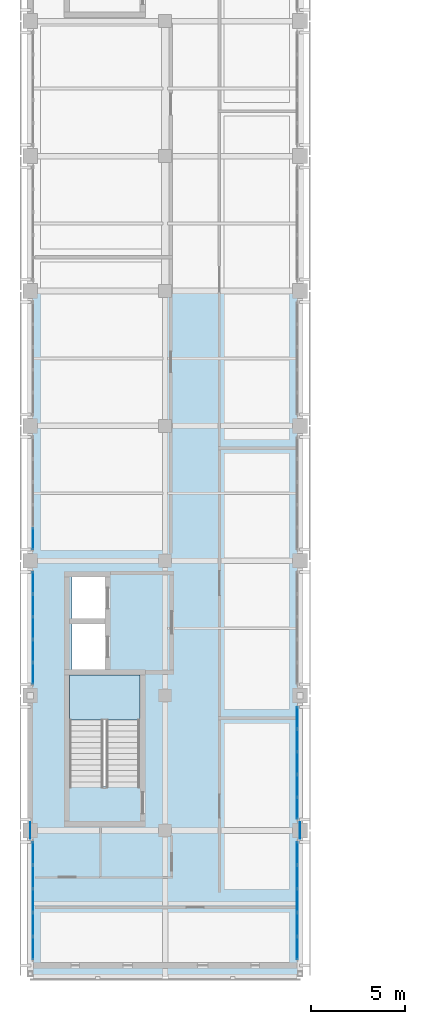
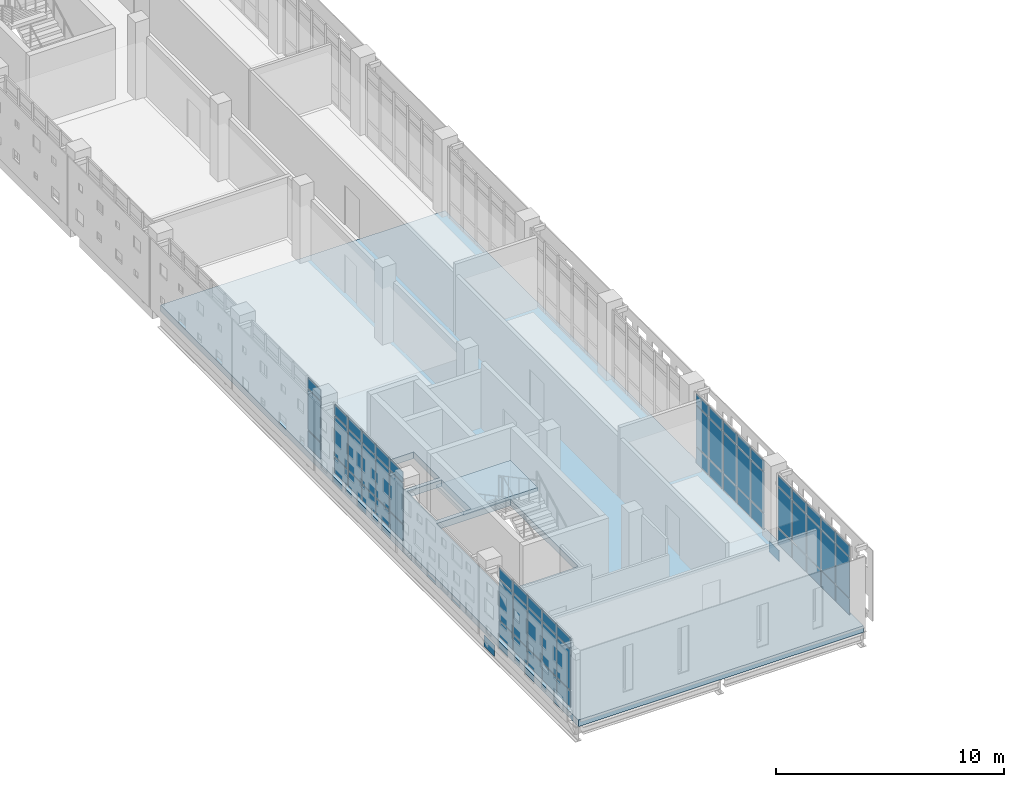
# One storey, part 18 of 33: 65 plates, 2 slabs, 6 elements without a shape of their own.
"""IFC4 building model written with IfcOpenShell, lengths in metres."""

from ifc_helpers import new_model, si_unit, direction, frame, origin, origin_2d, place, context, subcontext, project, spatial, polyline, rectangle, outline, extrude, material, layer, layer_set, type_object, element, aggregate, save


model = new_model("IFC4")

# Units and contexts
model_context = context("Model", 3, precision=1e-05, world=origin(), true_north=direction((0.0, 1.0)))
body_context = subcontext(model_context, "Body", "Model", "MODEL_VIEW")
ifc_project = project(units=[si_unit("LENGTHUNIT", "METRE"), si_unit("AREAUNIT", "SQUARE_METRE"), si_unit("VOLUMEUNIT", "CUBIC_METRE"), si_unit("PLANEANGLEUNIT", "RADIAN"), si_unit("MASSUNIT", "GRAM", prefix="KILO")], contexts=[model_context])

# Site, building, storey
site_placement = place(None, origin())
site = spatial("IfcSite", under=ifc_project, at=site_placement, CompositionType="ELEMENT")
building_placement = place(site_placement, origin())
building = spatial("IfcBuilding", under=site, at=building_placement, Name="Valkovuoma Quantum and Materials Research Institute", CompositionType="ELEMENT")
storey_placement = place(building_placement, frame((0.0, 0.0, 25.60009765625)))
storey = spatial("IfcBuildingStorey", under=building, at=storey_placement, Name="L06", CompositionType="ELEMENT", Elevation=25.60009765625)

# Curtain wall, plates
ifc_material_1 = material(Name="Thermally broken aluminium and triple low-E glazing", Category="aluminium")
ifc_layer_1 = layer(ifc_material_1, 0.219970703125)
ifc_layer_set_1 = layer_set([ifc_layer_1], Name="Thermally broken aluminium and triple low-E glazing")
curtain_wall_type = type_object("IfcCurtainWallType", Name="CW-CW-01", PredefinedType="NOTDEFINED", material=ifc_layer_set_1)
curtain_wall_1_placement = place(storey_placement, origin())
curtain_wall_1 = element("IfcCurtainWall", 1, at=curtain_wall_1_placement, inside=storey, type_object=curtain_wall_type, Name="L06 curtain wall 073", PredefinedType="NOTDEFINED")
ifc_material_2 = material(Name="Triple low-E argon insulating glass", Category="glass")
ifc_layer_2 = layer(ifc_material_2, 0.035888671875)
ifc_layer_set_2 = layer_set([ifc_layer_2], Name="Triple low-E argon insulating glass")
plate_type_1 = type_object("IfcPlateType", Name="CWPanel-CWP-01", PredefinedType="CURTAIN_PANEL", material=ifc_layer_set_2)
plate_1_placement = place(storey_placement, frame((0.14990234375, 22.521728515625, 0.06494140625), z_axis=(0.0, 0.0, 1.0), x_axis=(0.0, 1.0, 0.0)))
plate_1 = element("IfcPlate", 2, at=plate_1_placement, type_object=plate_type_1, Name="CW-01 panel 1.1", PredefinedType="CURTAIN_PANEL", context=body_context, shape_type="SweptSolid", body=[
    extrude(rectangle(XDim=1.177490234375, YDim=0.035888671875, at=origin_2d()), origin(), (0.0, 0.0, 1.0), 0.8525390625),
])
plate_2_placement = place(storey_placement, frame((0.14990234375, 22.521728515625, 0.982421875), z_axis=(0.0, 0.0, 1.0), x_axis=(0.0, 1.0, 0.0)))
plate_2 = element("IfcPlate", 3, at=plate_2_placement, type_object=plate_type_1, Name="CW-01 panel 1.2", PredefinedType="CURTAIN_PANEL", context=body_context, shape_type="SweptSolid", body=[
    extrude(rectangle(XDim=1.177490234375, YDim=0.035888671875, at=origin_2d()), origin(), (0.0, 0.0, 1.0), 2.14501953125),
])
plate_3_placement = place(storey_placement, frame((0.14990234375, 22.521728515625, 3.1923828125), z_axis=(0.0, 0.0, 1.0), x_axis=(0.0, 1.0, 0.0)))
plate_3 = element("IfcPlate", 4, at=plate_3_placement, type_object=plate_type_1, Name="CW-01 panel 1.3", PredefinedType="CURTAIN_PANEL", context=body_context, shape_type="SweptSolid", body=[
    extrude(rectangle(XDim=1.177490234375, YDim=0.035888671875, at=origin_2d()), origin(), (0.0, 0.0, 1.0), 0.552490234375),
])
plate_4_placement = place(storey_placement, frame((0.14990234375, 23.780517578125, 0.06494140625), z_axis=(0.0, 0.0, 1.0), x_axis=(0.0, 1.0, 0.0)))
plate_4 = element("IfcPlate", 5, at=plate_4_placement, type_object=plate_type_1, Name="CW-01 panel 2.1", PredefinedType="CURTAIN_PANEL", context=body_context, shape_type="SweptSolid", body=[
    extrude(rectangle(XDim=1.2099609375, YDim=0.035888671875, at=origin_2d()), origin(), (0.0, 0.0, 1.0), 0.8525390625),
])
plate_5_placement = place(storey_placement, frame((0.14990234375, 23.780517578125, 0.982421875), z_axis=(0.0, 0.0, 1.0), x_axis=(0.0, 1.0, 0.0)))
plate_5 = element("IfcPlate", 6, at=plate_5_placement, type_object=plate_type_1, Name="CW-01 panel 2.2", PredefinedType="CURTAIN_PANEL", context=body_context, shape_type="SweptSolid", body=[
    extrude(rectangle(XDim=1.2099609375, YDim=0.035888671875, at=origin_2d()), origin(), (0.0, 0.0, 1.0), 2.14501953125),
])
plate_6_placement = place(storey_placement, frame((0.14990234375, 23.780517578125, 3.1923828125), z_axis=(0.0, 0.0, 1.0), x_axis=(0.0, 1.0, 0.0)))
plate_6 = element("IfcPlate", 7, at=plate_6_placement, type_object=plate_type_1, Name="CW-01 panel 2.3", PredefinedType="CURTAIN_PANEL", context=body_context, shape_type="SweptSolid", body=[
    extrude(rectangle(XDim=1.2099609375, YDim=0.035888671875, at=origin_2d()), origin(), (0.0, 0.0, 1.0), 0.552490234375),
])
plate_7_placement = place(storey_placement, frame((0.14990234375, 25.055419921875, 0.06494140625), z_axis=(0.0, 0.0, 1.0), x_axis=(0.0, 1.0, 0.0)))
plate_7 = element("IfcPlate", 8, at=plate_7_placement, type_object=plate_type_1, Name="CW-01 panel 3.1", PredefinedType="CURTAIN_PANEL", context=body_context, shape_type="SweptSolid", body=[
    extrude(rectangle(XDim=1.2099609375, YDim=0.035888671875, at=origin_2d()), origin(), (0.0, 0.0, 1.0), 0.8525390625),
])
plate_8_placement = place(storey_placement, frame((0.14990234375, 25.055419921875, 0.982421875), z_axis=(0.0, 0.0, 1.0), x_axis=(0.0, 1.0, 0.0)))
plate_8 = element("IfcPlate", 9, at=plate_8_placement, type_object=plate_type_1, Name="CW-01 panel 3.2", PredefinedType="CURTAIN_PANEL", context=body_context, shape_type="SweptSolid", body=[
    extrude(rectangle(XDim=1.2099609375, YDim=0.035888671875, at=origin_2d()), origin(), (0.0, 0.0, 1.0), 2.14501953125),
])
plate_9_placement = place(storey_placement, frame((0.14990234375, 25.055419921875, 3.1923828125), z_axis=(0.0, 0.0, 1.0), x_axis=(0.0, 1.0, 0.0)))
plate_9 = element("IfcPlate", 10, at=plate_9_placement, type_object=plate_type_1, Name="CW-01 panel 3.3", PredefinedType="CURTAIN_PANEL", context=body_context, shape_type="SweptSolid", body=[
    extrude(rectangle(XDim=1.2099609375, YDim=0.035888671875, at=origin_2d()), origin(), (0.0, 0.0, 1.0), 0.552490234375),
])
plate_10_placement = place(storey_placement, frame((0.14990234375, 26.330322265625, 0.06494140625), z_axis=(0.0, 0.0, 1.0), x_axis=(0.0, 1.0, 0.0)))
plate_10 = element("IfcPlate", 11, at=plate_10_placement, type_object=plate_type_1, Name="CW-01 panel 4.1", PredefinedType="CURTAIN_PANEL", context=body_context, shape_type="SweptSolid", body=[
    extrude(rectangle(XDim=1.2099609375, YDim=0.035888671875, at=origin_2d()), origin(), (0.0, 0.0, 1.0), 0.8525390625),
])
plate_11_placement = place(storey_placement, frame((0.14990234375, 26.330322265625, 0.982421875), z_axis=(0.0, 0.0, 1.0), x_axis=(0.0, 1.0, 0.0)))
plate_11 = element("IfcPlate", 12, at=plate_11_placement, type_object=plate_type_1, Name="CW-01 panel 4.2", PredefinedType="CURTAIN_PANEL", context=body_context, shape_type="SweptSolid", body=[
    extrude(rectangle(XDim=1.2099609375, YDim=0.035888671875, at=origin_2d()), origin(), (0.0, 0.0, 1.0), 2.14501953125),
])
plate_12_placement = place(storey_placement, frame((0.14990234375, 26.330322265625, 3.1923828125), z_axis=(0.0, 0.0, 1.0), x_axis=(0.0, 1.0, 0.0)))
plate_12 = element("IfcPlate", 13, at=plate_12_placement, type_object=plate_type_1, Name="CW-01 panel 4.3", PredefinedType="CURTAIN_PANEL", context=body_context, shape_type="SweptSolid", body=[
    extrude(rectangle(XDim=1.2099609375, YDim=0.035888671875, at=origin_2d()), origin(), (0.0, 0.0, 1.0), 0.552490234375),
])
plate_13_placement = place(storey_placement, frame((0.14990234375, 27.589111328125, 0.06494140625), z_axis=(0.0, 0.0, 1.0), x_axis=(0.0, 1.0, 0.0)))
plate_13 = element("IfcPlate", 14, at=plate_13_placement, type_object=plate_type_1, Name="CW-01 panel 5.1", PredefinedType="CURTAIN_PANEL", context=body_context, shape_type="SweptSolid", body=[
    extrude(rectangle(XDim=1.177490234375, YDim=0.035888671875, at=origin_2d()), origin(), (0.0, 0.0, 1.0), 0.8525390625),
])
plate_14_placement = place(storey_placement, frame((0.14990234375, 27.589111328125, 0.982421875), z_axis=(0.0, 0.0, 1.0), x_axis=(0.0, 1.0, 0.0)))
plate_14 = element("IfcPlate", 15, at=plate_14_placement, type_object=plate_type_1, Name="CW-01 panel 5.2", PredefinedType="CURTAIN_PANEL", context=body_context, shape_type="SweptSolid", body=[
    extrude(rectangle(XDim=1.177490234375, YDim=0.035888671875, at=origin_2d()), origin(), (0.0, 0.0, 1.0), 2.14501953125),
])
plate_15_placement = place(storey_placement, frame((0.14990234375, 27.589111328125, 3.1923828125), z_axis=(0.0, 0.0, 1.0), x_axis=(0.0, 1.0, 0.0)))
plate_15 = element("IfcPlate", 16, at=plate_15_placement, type_object=plate_type_1, Name="CW-01 panel 5.3", PredefinedType="CURTAIN_PANEL", context=body_context, shape_type="SweptSolid", body=[
    extrude(rectangle(XDim=1.177490234375, YDim=0.035888671875, at=origin_2d()), origin(), (0.0, 0.0, 1.0), 0.552490234375),
])
aggregate(curtain_wall_1, [plate_1, plate_2, plate_3, plate_4, plate_5, plate_6, plate_7, plate_8, plate_9, plate_10, plate_11, plate_12, plate_13, plate_14, plate_15])

curtain_wall_2_placement = place(storey_placement, origin())
curtain_wall_2 = element("IfcCurtainWall", 17, at=curtain_wall_2_placement, inside=storey, type_object=curtain_wall_type, Name="L06 curtain wall 076", PredefinedType="NOTDEFINED")
plate_16_placement = place(storey_placement, frame((0.14990234375, 37.181884765625, 0.06494140625), z_axis=(0.0, 0.0, 1.0), x_axis=(0.0, 1.0, 0.0)))
plate_16 = element("IfcPlate", 18, at=plate_16_placement, type_object=plate_type_1, Name="CW-01 panel 1.1", PredefinedType="CURTAIN_PANEL", context=body_context, shape_type="SweptSolid", body=[
    extrude(rectangle(XDim=1.11962890625, YDim=0.035888671875, at=origin_2d()), origin(), (0.0, 0.0, 1.0), 0.8525390625),
])
plate_17_placement = place(storey_placement, frame((0.14990234375, 37.181884765625, 0.982421875), z_axis=(0.0, 0.0, 1.0), x_axis=(0.0, 1.0, 0.0)))
plate_17 = element("IfcPlate", 19, at=plate_17_placement, type_object=plate_type_1, Name="CW-01 panel 1.2", PredefinedType="CURTAIN_PANEL", context=body_context, shape_type="SweptSolid", body=[
    extrude(rectangle(XDim=1.11962890625, YDim=0.035888671875, at=origin_2d()), origin(), (0.0, 0.0, 1.0), 2.14501953125),
])
plate_18_placement = place(storey_placement, frame((0.14990234375, 37.181884765625, 3.1923828125), z_axis=(0.0, 0.0, 1.0), x_axis=(0.0, 1.0, 0.0)))
plate_18 = element("IfcPlate", 20, at=plate_18_placement, type_object=plate_type_1, Name="CW-01 panel 1.3", PredefinedType="CURTAIN_PANEL", context=body_context, shape_type="SweptSolid", body=[
    extrude(rectangle(XDim=1.11962890625, YDim=0.035888671875, at=origin_2d()), origin(), (0.0, 0.0, 1.0), 0.552490234375),
])
plate_19_placement = place(storey_placement, frame((0.14990234375, 38.3828125, 0.06494140625), z_axis=(0.0, 0.0, 1.0), x_axis=(0.0, 1.0, 0.0)))
plate_19 = element("IfcPlate", 21, at=plate_19_placement, type_object=plate_type_1, Name="CW-01 panel 2.1", PredefinedType="CURTAIN_PANEL", context=body_context, shape_type="SweptSolid", body=[
    extrude(rectangle(XDim=1.152099609375, YDim=0.035888671875, at=origin_2d()), origin(), (0.0, 0.0, 1.0), 0.8525390625),
])
plate_20_placement = place(storey_placement, frame((0.14990234375, 38.3828125, 0.982421875), z_axis=(0.0, 0.0, 1.0), x_axis=(0.0, 1.0, 0.0)))
plate_20 = element("IfcPlate", 22, at=plate_20_placement, type_object=plate_type_1, Name="CW-01 panel 2.2", PredefinedType="CURTAIN_PANEL", context=body_context, shape_type="SweptSolid", body=[
    extrude(rectangle(XDim=1.152099609375, YDim=0.035888671875, at=origin_2d()), origin(), (0.0, 0.0, 1.0), 2.14501953125),
])
plate_21_placement = place(storey_placement, frame((0.14990234375, 38.3828125, 3.1923828125), z_axis=(0.0, 0.0, 1.0), x_axis=(0.0, 1.0, 0.0)))
plate_21 = element("IfcPlate", 23, at=plate_21_placement, type_object=plate_type_1, Name="CW-01 panel 2.3", PredefinedType="CURTAIN_PANEL", context=body_context, shape_type="SweptSolid", body=[
    extrude(rectangle(XDim=1.152099609375, YDim=0.035888671875, at=origin_2d()), origin(), (0.0, 0.0, 1.0), 0.552490234375),
])
plate_22_placement = place(storey_placement, frame((0.14990234375, 39.60009765625, 0.06494140625), z_axis=(0.0, 0.0, 1.0), x_axis=(0.0, 1.0, 0.0)))
plate_22 = element("IfcPlate", 24, at=plate_22_placement, type_object=plate_type_1, Name="CW-01 panel 3.1", PredefinedType="CURTAIN_PANEL", context=body_context, shape_type="SweptSolid", body=[
    extrude(rectangle(XDim=1.152099609375, YDim=0.035888671875, at=origin_2d()), origin(), (0.0, 0.0, 1.0), 0.8525390625),
])
plate_23_placement = place(storey_placement, frame((0.14990234375, 39.60009765625, 0.982421875), z_axis=(0.0, 0.0, 1.0), x_axis=(0.0, 1.0, 0.0)))
plate_23 = element("IfcPlate", 25, at=plate_23_placement, type_object=plate_type_1, Name="CW-01 panel 3.2", PredefinedType="CURTAIN_PANEL", context=body_context, shape_type="SweptSolid", body=[
    extrude(rectangle(XDim=1.152099609375, YDim=0.035888671875, at=origin_2d()), origin(), (0.0, 0.0, 1.0), 2.14501953125),
])
plate_24_placement = place(storey_placement, frame((0.14990234375, 39.60009765625, 3.1923828125), z_axis=(0.0, 0.0, 1.0), x_axis=(0.0, 1.0, 0.0)))
plate_24 = element("IfcPlate", 26, at=plate_24_placement, type_object=plate_type_1, Name="CW-01 panel 3.3", PredefinedType="CURTAIN_PANEL", context=body_context, shape_type="SweptSolid", body=[
    extrude(rectangle(XDim=1.152099609375, YDim=0.035888671875, at=origin_2d()), origin(), (0.0, 0.0, 1.0), 0.552490234375),
])
plate_25_placement = place(storey_placement, frame((0.14990234375, 40.817138671875, 0.06494140625), z_axis=(0.0, 0.0, 1.0), x_axis=(0.0, 1.0, 0.0)))
plate_25 = element("IfcPlate", 27, at=plate_25_placement, type_object=plate_type_1, Name="CW-01 panel 4.1", PredefinedType="CURTAIN_PANEL", context=body_context, shape_type="SweptSolid", body=[
    extrude(rectangle(XDim=1.152099609375, YDim=0.035888671875, at=origin_2d()), origin(), (0.0, 0.0, 1.0), 0.8525390625),
])
plate_26_placement = place(storey_placement, frame((0.14990234375, 40.817138671875, 0.982421875), z_axis=(0.0, 0.0, 1.0), x_axis=(0.0, 1.0, 0.0)))
plate_26 = element("IfcPlate", 28, at=plate_26_placement, type_object=plate_type_1, Name="CW-01 panel 4.2", PredefinedType="CURTAIN_PANEL", context=body_context, shape_type="SweptSolid", body=[
    extrude(rectangle(XDim=1.152099609375, YDim=0.035888671875, at=origin_2d()), origin(), (0.0, 0.0, 1.0), 2.14501953125),
])
plate_27_placement = place(storey_placement, frame((0.14990234375, 40.817138671875, 3.1923828125), z_axis=(0.0, 0.0, 1.0), x_axis=(0.0, 1.0, 0.0)))
plate_27 = element("IfcPlate", 29, at=plate_27_placement, type_object=plate_type_1, Name="CW-01 panel 4.3", PredefinedType="CURTAIN_PANEL", context=body_context, shape_type="SweptSolid", body=[
    extrude(rectangle(XDim=1.152099609375, YDim=0.035888671875, at=origin_2d()), origin(), (0.0, 0.0, 1.0), 0.552490234375),
])
plate_28_placement = place(storey_placement, frame((0.14990234375, 42.01806640625, 0.06494140625), z_axis=(0.0, 0.0, 1.0), x_axis=(0.0, 1.0, 0.0)))
plate_28 = element("IfcPlate", 30, at=plate_28_placement, type_object=plate_type_1, Name="CW-01 panel 5.1", PredefinedType="CURTAIN_PANEL", context=body_context, shape_type="SweptSolid", body=[
    extrude(rectangle(XDim=1.11962890625, YDim=0.035888671875, at=origin_2d()), origin(), (0.0, 0.0, 1.0), 0.8525390625),
])
plate_29_placement = place(storey_placement, frame((0.14990234375, 42.01806640625, 0.982421875), z_axis=(0.0, 0.0, 1.0), x_axis=(0.0, 1.0, 0.0)))
plate_29 = element("IfcPlate", 31, at=plate_29_placement, type_object=plate_type_1, Name="CW-01 panel 5.2", PredefinedType="CURTAIN_PANEL", context=body_context, shape_type="SweptSolid", body=[
    extrude(rectangle(XDim=1.11962890625, YDim=0.035888671875, at=origin_2d()), origin(), (0.0, 0.0, 1.0), 2.14501953125),
])
plate_30_placement = place(storey_placement, frame((0.14990234375, 42.01806640625, 3.1923828125), z_axis=(0.0, 0.0, 1.0), x_axis=(0.0, 1.0, 0.0)))
plate_30 = element("IfcPlate", 32, at=plate_30_placement, type_object=plate_type_1, Name="CW-01 panel 5.3", PredefinedType="CURTAIN_PANEL", context=body_context, shape_type="SweptSolid", body=[
    extrude(rectangle(XDim=1.11962890625, YDim=0.035888671875, at=origin_2d()), origin(), (0.0, 0.0, 1.0), 0.552490234375),
])
aggregate(curtain_wall_2, [plate_16, plate_17, plate_18, plate_19, plate_20, plate_21, plate_22, plate_23, plate_24, plate_25, plate_26, plate_27, plate_28, plate_29, plate_30])

curtain_wall_3_placement = place(storey_placement, origin())
curtain_wall_3 = element("IfcCurtainWall", 33, at=curtain_wall_3_placement, inside=storey, type_object=curtain_wall_type, Name="L06 curtain wall 078", PredefinedType="NOTDEFINED")
plate_31_placement = place(storey_placement, frame((0.14990234375, 44.3818359375, 0.06494140625), z_axis=(0.0, 0.0, 1.0), x_axis=(0.0, 1.0, 0.0)))
plate_31 = element("IfcPlate", 34, at=plate_31_placement, type_object=plate_type_1, Name="CW-01 panel 1.1", PredefinedType="CURTAIN_PANEL", context=body_context, shape_type="SweptSolid", body=[
    extrude(rectangle(XDim=1.11962890625, YDim=0.035888671875, at=origin_2d()), origin(), (0.0, 0.0, 1.0), 0.8525390625),
])
plate_32_placement = place(storey_placement, frame((0.14990234375, 44.3818359375, 0.982421875), z_axis=(0.0, 0.0, 1.0), x_axis=(0.0, 1.0, 0.0)))
plate_32 = element("IfcPlate", 35, at=plate_32_placement, type_object=plate_type_1, Name="CW-01 panel 1.2", PredefinedType="CURTAIN_PANEL", context=body_context, shape_type="SweptSolid", body=[
    extrude(rectangle(XDim=1.11962890625, YDim=0.035888671875, at=origin_2d()), origin(), (0.0, 0.0, 1.0), 2.14501953125),
])
plate_33_placement = place(storey_placement, frame((0.14990234375, 44.3818359375, 3.1923828125), z_axis=(0.0, 0.0, 1.0), x_axis=(0.0, 1.0, 0.0)))
plate_33 = element("IfcPlate", 36, at=plate_33_placement, type_object=plate_type_1, Name="CW-01 panel 1.3", PredefinedType="CURTAIN_PANEL", context=body_context, shape_type="SweptSolid", body=[
    extrude(rectangle(XDim=1.11962890625, YDim=0.035888671875, at=origin_2d()), origin(), (0.0, 0.0, 1.0), 0.552490234375),
])
aggregate(curtain_wall_3, [plate_31, plate_32, plate_33])

curtain_wall_4_placement = place(storey_placement, origin())
curtain_wall_4 = element("IfcCurtainWall", 37, at=curtain_wall_4_placement, inside=storey, type_object=curtain_wall_type, Name="L06 curtain wall 074", PredefinedType="NOTDEFINED")
ifc_material_3 = material(Name="Triple low-E argon insulating glass", Category="glass")
ifc_layer_3 = layer(ifc_material_3, 0.0419921875)
ifc_layer_set_3 = layer_set([ifc_layer_3], Name="Triple low-E argon insulating glass")
plate_type_2 = type_object("IfcPlateType", Name="CWPanel-CWP-02", PredefinedType="CURTAIN_PANEL", material=ifc_layer_set_3)
plate_34_placement = place(storey_placement, frame((14.25, 22.521728515625, 0.06494140625), z_axis=(0.0, 0.0, 1.0), x_axis=(0.0, 1.0, 0.0)))
plate_34 = element("IfcPlate", 38, at=plate_34_placement, type_object=plate_type_2, Name="CW-01 panel 1.1", PredefinedType="CURTAIN_PANEL", context=body_context, shape_type="SweptSolid", body=[
    extrude(rectangle(XDim=1.177490234375, YDim=0.0419921875, at=origin_2d()), origin(), (0.0, 0.0, 1.0), 0.8525390625),
])
plate_35_placement = place(storey_placement, frame((14.25, 22.521728515625, 0.982421875), z_axis=(0.0, 0.0, 1.0), x_axis=(0.0, 1.0, 0.0)))
plate_35 = element("IfcPlate", 39, at=plate_35_placement, type_object=plate_type_2, Name="CW-01 panel 1.2", PredefinedType="CURTAIN_PANEL", context=body_context, shape_type="SweptSolid", body=[
    extrude(rectangle(XDim=1.177490234375, YDim=0.0419921875, at=origin_2d()), origin(), (0.0, 0.0, 1.0), 2.14501953125),
])
plate_36_placement = place(storey_placement, frame((14.25, 22.521728515625, 3.1923828125), z_axis=(0.0, 0.0, 1.0), x_axis=(0.0, 1.0, 0.0)))
plate_36 = element("IfcPlate", 40, at=plate_36_placement, type_object=plate_type_2, Name="CW-01 panel 1.3", PredefinedType="CURTAIN_PANEL", context=body_context, shape_type="SweptSolid", body=[
    extrude(rectangle(XDim=1.177490234375, YDim=0.0419921875, at=origin_2d()), origin(), (0.0, 0.0, 1.0), 0.552490234375),
])
plate_37_placement = place(storey_placement, frame((14.25, 23.780517578125, 0.06494140625), z_axis=(0.0, 0.0, 1.0), x_axis=(0.0, 1.0, 0.0)))
plate_37 = element("IfcPlate", 41, at=plate_37_placement, type_object=plate_type_2, Name="CW-01 panel 2.1", PredefinedType="CURTAIN_PANEL", context=body_context, shape_type="SweptSolid", body=[
    extrude(rectangle(XDim=1.2099609375, YDim=0.0419921875, at=origin_2d()), origin(), (0.0, 0.0, 1.0), 0.8525390625),
])
plate_38_placement = place(storey_placement, frame((14.25, 23.780517578125, 0.982421875), z_axis=(0.0, 0.0, 1.0), x_axis=(0.0, 1.0, 0.0)))
plate_38 = element("IfcPlate", 42, at=plate_38_placement, type_object=plate_type_2, Name="CW-01 panel 2.2", PredefinedType="CURTAIN_PANEL", context=body_context, shape_type="SweptSolid", body=[
    extrude(rectangle(XDim=1.2099609375, YDim=0.0419921875, at=origin_2d()), origin(), (0.0, 0.0, 1.0), 2.14501953125),
])
plate_39_placement = place(storey_placement, frame((14.25, 23.780517578125, 3.1923828125), z_axis=(0.0, 0.0, 1.0), x_axis=(0.0, 1.0, 0.0)))
plate_39 = element("IfcPlate", 43, at=plate_39_placement, type_object=plate_type_2, Name="CW-01 panel 2.3", PredefinedType="CURTAIN_PANEL", context=body_context, shape_type="SweptSolid", body=[
    extrude(rectangle(XDim=1.2099609375, YDim=0.0419921875, at=origin_2d()), origin(), (0.0, 0.0, 1.0), 0.552490234375),
])
plate_40_placement = place(storey_placement, frame((14.25, 25.055419921875, 0.06494140625), z_axis=(0.0, 0.0, 1.0), x_axis=(0.0, 1.0, 0.0)))
plate_40 = element("IfcPlate", 44, at=plate_40_placement, type_object=plate_type_2, Name="CW-01 panel 3.1", PredefinedType="CURTAIN_PANEL", context=body_context, shape_type="SweptSolid", body=[
    extrude(rectangle(XDim=1.2099609375, YDim=0.0419921875, at=origin_2d()), origin(), (0.0, 0.0, 1.0), 0.8525390625),
])
plate_41_placement = place(storey_placement, frame((14.25, 25.055419921875, 0.982421875), z_axis=(0.0, 0.0, 1.0), x_axis=(0.0, 1.0, 0.0)))
plate_41 = element("IfcPlate", 45, at=plate_41_placement, type_object=plate_type_2, Name="CW-01 panel 3.2", PredefinedType="CURTAIN_PANEL", context=body_context, shape_type="SweptSolid", body=[
    extrude(rectangle(XDim=1.2099609375, YDim=0.0419921875, at=origin_2d()), origin(), (0.0, 0.0, 1.0), 2.14501953125),
])
plate_42_placement = place(storey_placement, frame((14.25, 25.055419921875, 3.1923828125), z_axis=(0.0, 0.0, 1.0), x_axis=(0.0, 1.0, 0.0)))
plate_42 = element("IfcPlate", 46, at=plate_42_placement, type_object=plate_type_2, Name="CW-01 panel 3.3", PredefinedType="CURTAIN_PANEL", context=body_context, shape_type="SweptSolid", body=[
    extrude(rectangle(XDim=1.2099609375, YDim=0.0419921875, at=origin_2d()), origin(), (0.0, 0.0, 1.0), 0.552490234375),
])
plate_43_placement = place(storey_placement, frame((14.25, 26.330322265625, 0.06494140625), z_axis=(0.0, 0.0, 1.0), x_axis=(0.0, 1.0, 0.0)))
plate_43 = element("IfcPlate", 47, at=plate_43_placement, type_object=plate_type_2, Name="CW-01 panel 4.1", PredefinedType="CURTAIN_PANEL", context=body_context, shape_type="SweptSolid", body=[
    extrude(rectangle(XDim=1.2099609375, YDim=0.0419921875, at=origin_2d()), origin(), (0.0, 0.0, 1.0), 0.8525390625),
])
plate_44_placement = place(storey_placement, frame((14.25, 26.330322265625, 0.982421875), z_axis=(0.0, 0.0, 1.0), x_axis=(0.0, 1.0, 0.0)))
plate_44 = element("IfcPlate", 48, at=plate_44_placement, type_object=plate_type_2, Name="CW-01 panel 4.2", PredefinedType="CURTAIN_PANEL", context=body_context, shape_type="SweptSolid", body=[
    extrude(rectangle(XDim=1.2099609375, YDim=0.0419921875, at=origin_2d()), origin(), (0.0, 0.0, 1.0), 2.14501953125),
])
plate_45_placement = place(storey_placement, frame((14.25, 26.330322265625, 3.1923828125), z_axis=(0.0, 0.0, 1.0), x_axis=(0.0, 1.0, 0.0)))
plate_45 = element("IfcPlate", 49, at=plate_45_placement, type_object=plate_type_2, Name="CW-01 panel 4.3", PredefinedType="CURTAIN_PANEL", context=body_context, shape_type="SweptSolid", body=[
    extrude(rectangle(XDim=1.2099609375, YDim=0.0419921875, at=origin_2d()), origin(), (0.0, 0.0, 1.0), 0.552490234375),
])
plate_46_placement = place(storey_placement, frame((14.25, 27.589111328125, 0.06494140625), z_axis=(0.0, 0.0, 1.0), x_axis=(0.0, 1.0, 0.0)))
plate_46 = element("IfcPlate", 50, at=plate_46_placement, type_object=plate_type_2, Name="CW-01 panel 5.1", PredefinedType="CURTAIN_PANEL", context=body_context, shape_type="SweptSolid", body=[
    extrude(rectangle(XDim=1.177490234375, YDim=0.0419921875, at=origin_2d()), origin(), (0.0, 0.0, 1.0), 0.8525390625),
])
plate_47_placement = place(storey_placement, frame((14.25, 27.589111328125, 0.982421875), z_axis=(0.0, 0.0, 1.0), x_axis=(0.0, 1.0, 0.0)))
plate_47 = element("IfcPlate", 51, at=plate_47_placement, type_object=plate_type_2, Name="CW-01 panel 5.2", PredefinedType="CURTAIN_PANEL", context=body_context, shape_type="SweptSolid", body=[
    extrude(rectangle(XDim=1.177490234375, YDim=0.0419921875, at=origin_2d()), origin(), (0.0, 0.0, 1.0), 2.14501953125),
])
plate_48_placement = place(storey_placement, frame((14.25, 27.589111328125, 3.1923828125), z_axis=(0.0, 0.0, 1.0), x_axis=(0.0, 1.0, 0.0)))
plate_48 = element("IfcPlate", 52, at=plate_48_placement, type_object=plate_type_2, Name="CW-01 panel 5.3", PredefinedType="CURTAIN_PANEL", context=body_context, shape_type="SweptSolid", body=[
    extrude(rectangle(XDim=1.177490234375, YDim=0.0419921875, at=origin_2d()), origin(), (0.0, 0.0, 1.0), 0.552490234375),
])
aggregate(curtain_wall_4, [plate_34, plate_35, plate_36, plate_37, plate_38, plate_39, plate_40, plate_41, plate_42, plate_43, plate_44, plate_45, plate_46, plate_47, plate_48])

curtain_wall_5_placement = place(storey_placement, origin())
curtain_wall_5 = element("IfcCurtainWall", 53, at=curtain_wall_5_placement, inside=storey, type_object=curtain_wall_type, Name="L06 curtain wall 075", PredefinedType="NOTDEFINED")
plate_49_placement = place(storey_placement, frame((14.25, 29.98193359375, 0.06494140625), z_axis=(0.0, 0.0, 1.0), x_axis=(0.0, 1.0, 0.0)))
plate_49 = element("IfcPlate", 54, at=plate_49_placement, type_object=plate_type_2, Name="CW-01 panel 1.1", PredefinedType="CURTAIN_PANEL", context=body_context, shape_type="SweptSolid", body=[
    extrude(rectangle(XDim=1.11962890625, YDim=0.0419921875, at=origin_2d()), origin(), (0.0, 0.0, 1.0), 0.8525390625),
])
plate_50_placement = place(storey_placement, frame((14.25, 29.98193359375, 0.982421875), z_axis=(0.0, 0.0, 1.0), x_axis=(0.0, 1.0, 0.0)))
plate_50 = element("IfcPlate", 55, at=plate_50_placement, type_object=plate_type_2, Name="CW-01 panel 1.2", PredefinedType="CURTAIN_PANEL", context=body_context, shape_type="SweptSolid", body=[
    extrude(rectangle(XDim=1.11962890625, YDim=0.0419921875, at=origin_2d()), origin(), (0.0, 0.0, 1.0), 2.14501953125),
])
plate_51_placement = place(storey_placement, frame((14.25, 29.98193359375, 3.1923828125), z_axis=(0.0, 0.0, 1.0), x_axis=(0.0, 1.0, 0.0)))
plate_51 = element("IfcPlate", 56, at=plate_51_placement, type_object=plate_type_2, Name="CW-01 panel 1.3", PredefinedType="CURTAIN_PANEL", context=body_context, shape_type="SweptSolid", body=[
    extrude(rectangle(XDim=1.11962890625, YDim=0.0419921875, at=origin_2d()), origin(), (0.0, 0.0, 1.0), 0.552490234375),
])
plate_52_placement = place(storey_placement, frame((14.25, 31.182861328125, 0.06494140625), z_axis=(0.0, 0.0, 1.0), x_axis=(0.0, 1.0, 0.0)))
plate_52 = element("IfcPlate", 57, at=plate_52_placement, type_object=plate_type_2, Name="CW-01 panel 2.1", PredefinedType="CURTAIN_PANEL", context=body_context, shape_type="SweptSolid", body=[
    extrude(rectangle(XDim=1.152099609375, YDim=0.0419921875, at=origin_2d()), origin(), (0.0, 0.0, 1.0), 0.8525390625),
])
plate_53_placement = place(storey_placement, frame((14.25, 31.182861328125, 0.982421875), z_axis=(0.0, 0.0, 1.0), x_axis=(0.0, 1.0, 0.0)))
plate_53 = element("IfcPlate", 58, at=plate_53_placement, type_object=plate_type_2, Name="CW-01 panel 2.2", PredefinedType="CURTAIN_PANEL", context=body_context, shape_type="SweptSolid", body=[
    extrude(rectangle(XDim=1.152099609375, YDim=0.0419921875, at=origin_2d()), origin(), (0.0, 0.0, 1.0), 2.14501953125),
])
plate_54_placement = place(storey_placement, frame((14.25, 31.182861328125, 3.1923828125), z_axis=(0.0, 0.0, 1.0), x_axis=(0.0, 1.0, 0.0)))
plate_54 = element("IfcPlate", 59, at=plate_54_placement, type_object=plate_type_2, Name="CW-01 panel 2.3", PredefinedType="CURTAIN_PANEL", context=body_context, shape_type="SweptSolid", body=[
    extrude(rectangle(XDim=1.152099609375, YDim=0.0419921875, at=origin_2d()), origin(), (0.0, 0.0, 1.0), 0.552490234375),
])
plate_55_placement = place(storey_placement, frame((14.25, 32.39990234375, 0.06494140625), z_axis=(0.0, 0.0, 1.0), x_axis=(0.0, 1.0, 0.0)))
plate_55 = element("IfcPlate", 60, at=plate_55_placement, type_object=plate_type_2, Name="CW-01 panel 3.1", PredefinedType="CURTAIN_PANEL", context=body_context, shape_type="SweptSolid", body=[
    extrude(rectangle(XDim=1.152099609375, YDim=0.0419921875, at=origin_2d()), origin(), (0.0, 0.0, 1.0), 0.8525390625),
])
plate_56_placement = place(storey_placement, frame((14.25, 32.39990234375, 0.982421875), z_axis=(0.0, 0.0, 1.0), x_axis=(0.0, 1.0, 0.0)))
plate_56 = element("IfcPlate", 61, at=plate_56_placement, type_object=plate_type_2, Name="CW-01 panel 3.2", PredefinedType="CURTAIN_PANEL", context=body_context, shape_type="SweptSolid", body=[
    extrude(rectangle(XDim=1.152099609375, YDim=0.0419921875, at=origin_2d()), origin(), (0.0, 0.0, 1.0), 2.14501953125),
])
plate_57_placement = place(storey_placement, frame((14.25, 32.39990234375, 3.1923828125), z_axis=(0.0, 0.0, 1.0), x_axis=(0.0, 1.0, 0.0)))
plate_57 = element("IfcPlate", 62, at=plate_57_placement, type_object=plate_type_2, Name="CW-01 panel 3.3", PredefinedType="CURTAIN_PANEL", context=body_context, shape_type="SweptSolid", body=[
    extrude(rectangle(XDim=1.152099609375, YDim=0.0419921875, at=origin_2d()), origin(), (0.0, 0.0, 1.0), 0.552490234375),
])
plate_58_placement = place(storey_placement, frame((14.25, 33.6171875, 0.06494140625), z_axis=(0.0, 0.0, 1.0), x_axis=(0.0, 1.0, 0.0)))
plate_58 = element("IfcPlate", 63, at=plate_58_placement, type_object=plate_type_2, Name="CW-01 panel 4.1", PredefinedType="CURTAIN_PANEL", context=body_context, shape_type="SweptSolid", body=[
    extrude(rectangle(XDim=1.152099609375, YDim=0.0419921875, at=origin_2d()), origin(), (0.0, 0.0, 1.0), 0.8525390625),
])
plate_59_placement = place(storey_placement, frame((14.25, 33.6171875, 0.982421875), z_axis=(0.0, 0.0, 1.0), x_axis=(0.0, 1.0, 0.0)))
plate_59 = element("IfcPlate", 64, at=plate_59_placement, type_object=plate_type_2, Name="CW-01 panel 4.2", PredefinedType="CURTAIN_PANEL", context=body_context, shape_type="SweptSolid", body=[
    extrude(rectangle(XDim=1.152099609375, YDim=0.0419921875, at=origin_2d()), origin(), (0.0, 0.0, 1.0), 2.14501953125),
])
plate_60_placement = place(storey_placement, frame((14.25, 33.6171875, 3.1923828125), z_axis=(0.0, 0.0, 1.0), x_axis=(0.0, 1.0, 0.0)))
plate_60 = element("IfcPlate", 65, at=plate_60_placement, type_object=plate_type_2, Name="CW-01 panel 4.3", PredefinedType="CURTAIN_PANEL", context=body_context, shape_type="SweptSolid", body=[
    extrude(rectangle(XDim=1.152099609375, YDim=0.0419921875, at=origin_2d()), origin(), (0.0, 0.0, 1.0), 0.552490234375),
])
plate_61_placement = place(storey_placement, frame((14.25, 34.818115234375, 0.06494140625), z_axis=(0.0, 0.0, 1.0), x_axis=(0.0, 1.0, 0.0)))
plate_61 = element("IfcPlate", 66, at=plate_61_placement, type_object=plate_type_2, Name="CW-01 panel 5.1", PredefinedType="CURTAIN_PANEL", context=body_context, shape_type="SweptSolid", body=[
    extrude(rectangle(XDim=1.11962890625, YDim=0.0419921875, at=origin_2d()), origin(), (0.0, 0.0, 1.0), 0.8525390625),
])
plate_62_placement = place(storey_placement, frame((14.25, 34.818115234375, 0.982421875), z_axis=(0.0, 0.0, 1.0), x_axis=(0.0, 1.0, 0.0)))
plate_62 = element("IfcPlate", 67, at=plate_62_placement, type_object=plate_type_2, Name="CW-01 panel 5.2", PredefinedType="CURTAIN_PANEL", context=body_context, shape_type="SweptSolid", body=[
    extrude(rectangle(XDim=1.11962890625, YDim=0.0419921875, at=origin_2d()), origin(), (0.0, 0.0, 1.0), 2.14501953125),
])
plate_63_placement = place(storey_placement, frame((14.25, 34.818115234375, 3.1923828125), z_axis=(0.0, 0.0, 1.0), x_axis=(0.0, 1.0, 0.0)))
plate_63 = element("IfcPlate", 68, at=plate_63_placement, type_object=plate_type_2, Name="CW-01 panel 5.3", PredefinedType="CURTAIN_PANEL", context=body_context, shape_type="SweptSolid", body=[
    extrude(rectangle(XDim=1.11962890625, YDim=0.0419921875, at=origin_2d()), origin(), (0.0, 0.0, 1.0), 0.552490234375),
])
aggregate(curtain_wall_5, [plate_49, plate_50, plate_51, plate_52, plate_53, plate_54, plate_55, plate_56, plate_57, plate_58, plate_59, plate_60, plate_61, plate_62, plate_63])

# Plates
ifc_material_4 = material(Name="Steel S355J2", Category="steel")
plate_type_3 = type_object("IfcPlateType", Name="Plate-PL-GUS3", PredefinedType="USERDEFINED", material=ifc_material_4)
for number, where, z_axis, x_axis, name in (
    (69, (0.0, 28.800048828125, -1.050048828125), (0.0, 0.0, 1.0), (0.0, 1.0, 0.0), "L06 cantilever gusset plate 0"),
    (70, (14.39990234375, 28.800048828125, -1.050048828125), (0.0, 0.0, 1.0), (0.0, 1.0, 0.0), "L06 cantilever gusset plate 1"),
):
    element("IfcPlate", number, at=place(storey_placement, frame(where, z_axis=z_axis, x_axis=x_axis)), inside=storey, type_object=plate_type_3, Name=name, ObjectType="GUSSET_PLATE", PredefinedType="USERDEFINED", context=body_context, shape_type="SweptSolid", body=[
        extrude(rectangle(XDim=0.89990234375, YDim=0.02490234375, at=origin_2d()), origin(), (0.0, 0.0, 1.0), 0.60009765625),
    ])

# Slab
ifc_material_5 = material(Name="Concrete C40/50", Category="concrete")
ifc_layer_4 = layer(ifc_material_5, 0.35009765625)
ifc_layer_set_4 = layer_set([ifc_layer_4], Name="Concrete C40/50")
slab_type_1 = type_object("IfcSlabType", Name="Slab-SL-FL350", PredefinedType="FLOOR", material=ifc_layer_set_4)
slab_1_placement = place(storey_placement, frame((0.0, 0.0, -0.35009765625)))
element("IfcSlab", 71, at=slab_1_placement, inside=storey, type_object=slab_type_1, Name="L06 vol5_drylab structural slab 1", PredefinedType="FLOOR", context=body_context, shape_type="SweptSolid", body=[
    extrude(outline(polyline([(0.0, 21.0), (14.39990234375, 21.0), (14.39990234375, 57.60009765625), (0.0, 57.60009765625), (0.0, 21.0)]), holes=[polyline([(2.10009765625, 31.159912109375), (5.85009765625, 31.159912109375), (5.85009765625, 37.10009765625), (2.10009765625, 37.10009765625), (2.10009765625, 31.159912109375)]), polyline([(2.219970703125, 37.320068359375), (3.97998046875, 37.320068359375), (3.97998046875, 39.8798828125), (2.219970703125, 39.8798828125), (2.219970703125, 37.320068359375)]), polyline([(2.219970703125, 40.070068359375), (3.97998046875, 40.070068359375), (3.97998046875, 42.330078125), (2.219970703125, 42.330078125), (2.219970703125, 40.070068359375)])]), origin(), (0.0, 0.0, 1.0), 0.35009765625),
])

# Stair, slab
ifc_material_6 = material(Name="Concrete C40/50", Category="concrete")
stair_type = type_object("IfcStairType", Name="Stair-ST-COR", PredefinedType="HALF_TURN_STAIR", material=ifc_material_6)
stair_placement = place(storey_placement, origin())
stair = element("IfcStair", 72, at=stair_placement, inside=storey, type_object=stair_type, Name="L06 Exit Stair ST-1", PredefinedType="HALF_TURN_STAIR")
ifc_material_7 = material(Name="Concrete C40/50", Category="concrete")
ifc_layer_5 = layer(ifc_material_7, 0.199951171875)
ifc_layer_set_5 = layer_set([ifc_layer_5], Name="Concrete C40/50")
slab_type_2 = type_object("IfcSlabType", Name="Slab-SL-LND200", PredefinedType="LANDING", material=ifc_layer_set_5)
slab_2_placement = place(storey_placement, frame((0.0, 0.0, 1.8798828125)))
slab_2 = element("IfcSlab", 73, at=slab_2_placement, type_object=slab_type_2, Name="ST-1 landing 1", PredefinedType="LANDING", context=body_context, shape_type="SweptSolid", body=[
    extrude(outline(polyline([(5.85009765625, 34.699951171875), (5.85009765625, 37.10009765625), (2.10009765625, 37.10009765625), (2.10009765625, 34.699951171875), (5.85009765625, 34.699951171875)])), origin(), (0.0, 0.0, 1.0), 0.199951171875),
])
aggregate(stair, [slab_2])

save(model, "model.ifc")
